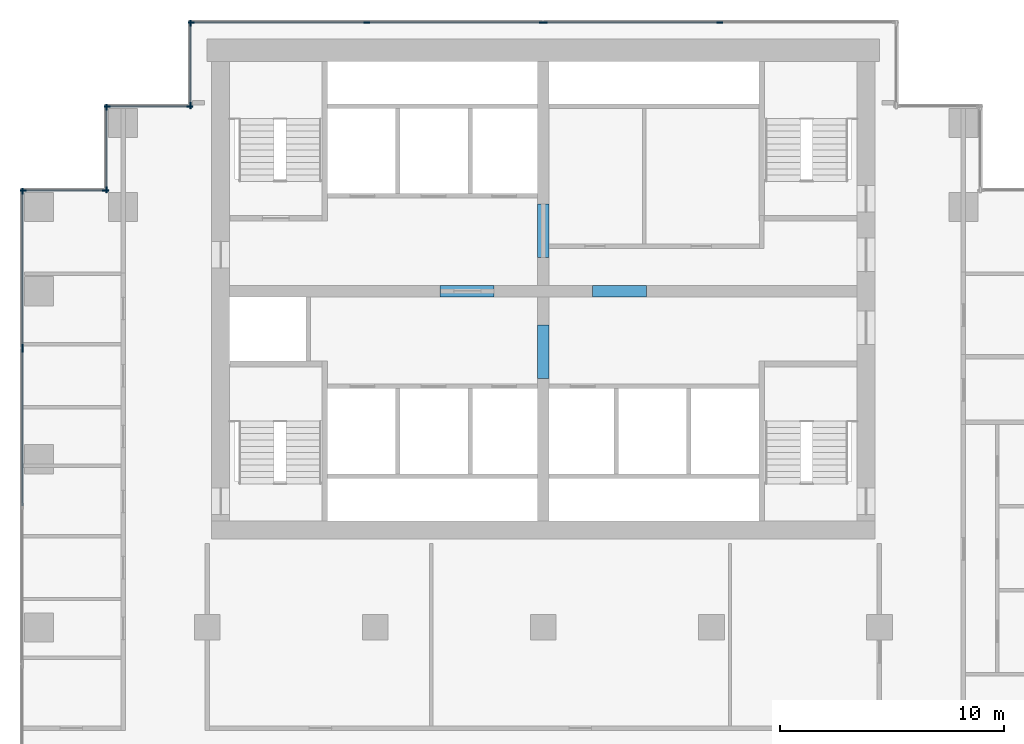
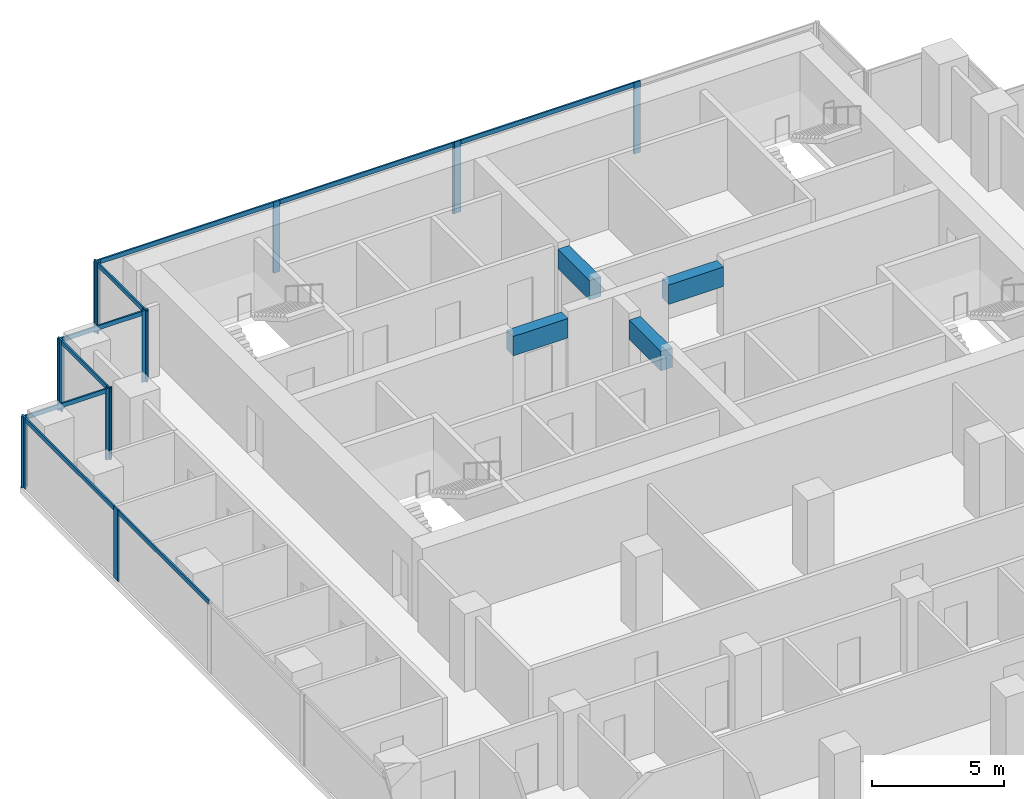
# One storey, part 4 of 10: 25 members, 4 beams, 8 elements without a shape of their own.
"""IFC4 building model written with IfcOpenShell, lengths in metres."""

import ifcopenshell
import ifcopenshell.guid

model = None  # the IFC model being written
_history = None  # IfcOwnerHistory: only IFC2X3 demands one
_inside = {}  # id of a spatial element -> (the spatial element, [elements in it])
_under = {}  # id of a project, library or spatial element -> (it, [spatial elements below it])
_declared = {}  # id of a project -> (the project, [libraries it declares])
_typed = {}  # id of a type object -> (the type object, [elements of that type])
_made_of = {}  # id of a material, layer set ... -> (it, [elements and type objects made of it])


def new_model(schema):
    """Start an empty IFC model of exactly this schema.

    Asked for "IFC4X3", IfcOpenShell would pick the latest addendum, in which some entities
    have other attributes; the version numbers below select the first issue.
    IFC2X3 requires an IfcOwnerHistory on every rooted entity: one is made here for all.
    """
    global model, _history
    if schema == "IFC4X3":
        model = ifcopenshell.file(schema_version=(4, 3, 0, 0))
    else:
        model = ifcopenshell.file(schema=schema)
    _inside.clear()
    _under.clear()
    _declared.clear()
    _typed.clear()
    _made_of.clear()
    _history = None
    if model.schema == "IFC2X3":
        org = make("IfcOrganization", Name="unknown")
        user = make(
            "IfcPersonAndOrganization",
            ThePerson=make("IfcPerson", FamilyName="unknown"),
            TheOrganization=org,
        )
        app = make(
            "IfcApplication",
            ApplicationDeveloper=org,
            Version="unknown",
            ApplicationFullName="unknown",
            ApplicationIdentifier="unknown",
        )
        _history = make(
            "IfcOwnerHistory",
            OwningUser=user,
            OwningApplication=app,
            ChangeAction="ADDED",
            CreationDate=0,
        )
    return model


def make(cls, **values):
    """One entity of the class cls with the attributes given. An attribute that is None is left unset."""
    return model.create_entity(
        cls, **{name: value for name, value in values.items() if value is not None}
    )


def rooted(cls, **values):
    """An entity with a GlobalId (a new one), such as an element, a storey or a relation."""
    return make(cls, GlobalId=ifcopenshell.guid.new(), OwnerHistory=_history, **values)


def si_unit(unit_type, name, prefix=None):
    """IfcSIUnit, for example si_unit("LENGTHUNIT", "METRE", prefix="MILLI")."""
    return make("IfcSIUnit", UnitType=unit_type, Prefix=prefix, Name=name)


def assignment(units):
    """IfcUnitAssignment: the units of a project."""
    return None if units is None else make("IfcUnitAssignment", Units=units)


def point(xyz):
    """IfcCartesianPoint."""
    return None if xyz is None else make("IfcCartesianPoint", Coordinates=xyz)


def direction(xyz):
    """IfcDirection."""
    return None if xyz is None else make("IfcDirection", DirectionRatios=xyz)


def frame(location, z_axis=None, x_axis=None):
    """IfcAxis2Placement3D, a coordinate frame: its origin and axes. An axis left out is left unset."""
    return make(
        "IfcAxis2Placement3D",
        Location=point(location),
        Axis=direction(z_axis),
        RefDirection=direction(x_axis),
    )


def frame_2d(location, x_axis=None):
    """IfcAxis2Placement2D, a coordinate frame in the plane: its origin and x axis."""
    return make(
        "IfcAxis2Placement2D", Location=point(location), RefDirection=direction(x_axis)
    )


def origin():
    """The frame at (0, 0, 0) with its axes left unset."""
    return frame((0.0, 0.0, 0.0))


def origin_2d():
    """The frame at (0, 0) in the plane with its x axis left unset."""
    return frame_2d((0.0, 0.0))


def place(relative_to, where):
    """IfcLocalPlacement: puts the frame where relative to a parent placement (None: the world)."""
    return make(
        "IfcLocalPlacement", PlacementRelTo=relative_to, RelativePlacement=where
    )


def context(
    kind, dimensions, precision=None, world=None, true_north=None, identifier=None
):
    """IfcGeometricRepresentationContext, for example the 3D "Model" context."""
    return make(
        "IfcGeometricRepresentationContext",
        ContextIdentifier=identifier,
        ContextType=kind,
        CoordinateSpaceDimension=dimensions,
        Precision=precision,
        WorldCoordinateSystem=world,
        TrueNorth=true_north,
    )


def subcontext(parent, identifier, kind, view, scale=None):
    """IfcGeometricRepresentationSubContext, for example "Body" below "Model"."""
    return make(
        "IfcGeometricRepresentationSubContext",
        ContextIdentifier=identifier,
        ContextType=kind,
        ParentContext=parent,
        TargetScale=scale,
        TargetView=view,
    )


def project(units=None, contexts=None):
    """IfcProject with its units and contexts."""
    return rooted(
        "IfcProject",
        Name="project",
        RepresentationContexts=contexts,
        UnitsInContext=assignment(units),
    )


def spatial(cls, under=None, at=None, **own):
    """A site, building, storey or space (cls), placed at a placement, below another one or the project."""
    s = rooted(cls, ObjectPlacement=at, **own)
    if under is not None:
        _under.setdefault(under.id(), (under, []))[1].append(s)
    return s


def profile(cls, at=None, kind="AREA", **sizes):
    """A parametric profile (cls). Its sizes go by their IFC names, for example OverallWidth=200.0."""
    return make(cls, ProfileType=kind, Position=at, **sizes)


def rectangle(**sizes):
    """IfcRectangleProfileDef."""
    return profile("IfcRectangleProfileDef", **sizes)


def extrude(swept, where, along, depth):
    """IfcExtrudedAreaSolid: the profile swept, set in the frame where, extruded along a direction by depth."""
    return make(
        "IfcExtrudedAreaSolid",
        SweptArea=swept,
        Position=where,
        ExtrudedDirection=direction(along),
        Depth=depth,
    )


def shape(context_of_items, identifier, shape_type, items):
    """IfcShapeRepresentation: the items that make up one representation, for example the "Body"."""
    return make(
        "IfcShapeRepresentation",
        ContextOfItems=context_of_items,
        RepresentationIdentifier=identifier,
        RepresentationType=shape_type,
        Items=items,
    )


def material(Name=None, Category=None):
    """IfcMaterial."""
    return make("IfcMaterial", Name=Name, Category=Category)


def material_profile(
    of_material, cross_section, Name=None, Category=None, Priority=None
):
    """IfcMaterialProfile: a cross section and its material."""
    return make(
        "IfcMaterialProfile",
        Name=Name,
        Material=of_material,
        Profile=cross_section,
        Priority=Priority,
        Category=Category,
    )


def profile_set(profiles, Name=None, composite=None):
    """IfcMaterialProfileSet."""
    return make(
        "IfcMaterialProfileSet",
        Name=Name,
        MaterialProfiles=profiles,
        CompositeProfile=composite,
    )


def made_of(thing, what):
    """Note that an element or type object is made of a material, layer set ...; save() writes the relation."""
    if what is not None:
        _made_of.setdefault(what.id(), (what, []))[1].append(thing)
    return thing


def type_object(cls, material=None, **own):
    """A type object (cls), such as IfcWallType, which elements share."""
    return made_of(rooted(cls, **own), material)


def element(
    cls,
    number,
    at=None,
    inside=None,
    cuts=None,
    type_object=None,
    material=None,
    context=None,
    identifier="Body",
    shape_type=None,
    held_by="IfcProductDefinitionShape",
    body=None,
    shapes=None,
    **own,
):
    """One element of the class cls, such as IfcWall. Its Tag is "e" and its number.

    at: its placement. inside: the storey or other place that contains it. cuts: it is an
    opening in that element (IfcRelVoidsElement). A single representation is given by context,
    identifier, shape_type and body (its items); several are given by shapes. held_by: the class
    of the entity that holds the representations. save() writes the other relations.
    """
    e = rooted(cls, Tag="e%d" % number, ObjectPlacement=at, **own)
    if body is not None:
        shapes = [shape(context, identifier, shape_type, body)]
    if shapes is not None:
        e.Representation = make(held_by, Representations=shapes)
    if inside is not None:
        _inside.setdefault(inside.id(), (inside, []))[1].append(e)
    if cuts is not None:
        rooted(
            "IfcRelVoidsElement", RelatingBuildingElement=cuts, RelatedOpeningElement=e
        )
    if type_object is not None:
        _typed.setdefault(type_object.id(), (type_object, []))[1].append(e)
    return made_of(e, material)


def aggregate(whole, parts):
    """IfcRelAggregates: a whole, such as a stair, and the parts it consists of."""
    return rooted("IfcRelAggregates", RelatingObject=whole, RelatedObjects=parts)


def save(model, path):
    """Write the relations noted so far, then the file.

    IfcRelAggregates (storeys below a building ...), IfcRelContainedInSpatialStructure (elements
    in a storey), IfcRelDefinesByType, IfcRelAssociatesMaterial and IfcRelDeclares: one each for
    every whole, place, type object, material and project.
    """
    for whole, parts in _under.values():
        aggregate(whole, parts)
    for where, things in _inside.values():
        rooted(
            "IfcRelContainedInSpatialStructure",
            RelatedElements=things,
            RelatingStructure=where,
        )
    for kind, things in _typed.values():
        rooted("IfcRelDefinesByType", RelatedObjects=things, RelatingType=kind)
    for what, things in _made_of.values():
        rooted("IfcRelAssociatesMaterial", RelatedObjects=things, RelatingMaterial=what)
    for by, libraries in _declared.values():
        rooted("IfcRelDeclares", RelatingContext=by, RelatedDefinitions=libraries)
    model.write(path)


model = new_model("IFC4")

# Units and contexts
model_context = context("Model", 3, precision=1e-05, world=origin(), true_north=direction((0.0, 1.0)))
body_context = subcontext(model_context, "Body", "Model", "MODEL_VIEW")
ifc_project = project(units=[si_unit("LENGTHUNIT", "METRE"), si_unit("AREAUNIT", "SQUARE_METRE"), si_unit("VOLUMEUNIT", "CUBIC_METRE"), si_unit("PLANEANGLEUNIT", "RADIAN"), si_unit("MASSUNIT", "GRAM", prefix="KILO")], contexts=[model_context])

# Site, building, storey
site_placement = place(None, origin())
site = spatial("IfcSite", under=ifc_project, at=site_placement, CompositionType="ELEMENT")
building_placement = place(site_placement, origin())
building = spatial("IfcBuilding", under=site, at=building_placement, Name="Pilkhan Gate Tower", CompositionType="ELEMENT")
storey_placement = place(building_placement, frame((0.0, 0.0, 128.800048828125)))
storey = spatial("IfcBuildingStorey", under=building, at=storey_placement, Name="L32", CompositionType="ELEMENT", Elevation=128.800048828125)

# Beams
ifc_material_1 = material(Name="Concrete C60/75", Category="concrete")
ifc_material_profile_1 = material_profile(ifc_material_1, rectangle(XDim=0.5, YDim=0.89990234375, at=origin_2d()), Name="RC 500x900")
ifc_profile_set_1 = profile_set([ifc_material_profile_1], Name="Concrete C60/75")
beam_type = type_object("IfcBeamType", Name="Coupling beam CB90 RC 500x900 C60/75", PredefinedType="LINTEL", material=ifc_profile_set_1)
for number, where, z_axis, x_axis, name in (
    (1, (70.39990234375, 82.5, 2.849853515625), (1.0, 0.0, 0.0), (0.0, 1.0, 0.0), "Coupling beam 1 L32"),
    (2, (77.199951171875, 82.5, 2.849853515625), (1.0, 0.0, 0.0), (0.0, 1.0, 0.0), "Coupling beam 2 L32"),
):
    element("IfcBeam", number, at=place(storey_placement, frame(where, z_axis=z_axis, x_axis=x_axis)), inside=storey, type_object=beam_type, Name=name, PredefinedType="LINTEL", context=body_context, shape_type="SweptSolid", body=[
        extrude(rectangle(XDim=0.5, YDim=0.89990234375, at=origin_2d()), origin(), (0.0, 0.0, 1.0), 2.400146484375),
    ])
for number, where, z_axis, x_axis, name in (
    (3, (75.0, 78.60009765625, 2.849853515625), (0.0, 1.0, 0.0), (-1.0, 0.0, 0.0), "Coupling beam 3 L32"),
    (4, (75.0, 84.0, 2.849853515625), (0.0, 1.0, 0.0), (-1.0, 0.0, 0.0), "Coupling beam 4 L32"),
):
    element("IfcBeam", number, at=place(storey_placement, frame(where, z_axis=z_axis, x_axis=x_axis)), inside=storey, type_object=beam_type, Name=name, PredefinedType="LINTEL", context=body_context, shape_type="SweptSolid", body=[
        extrude(rectangle(XDim=0.5, YDim=0.89990234375, at=origin_2d()), origin(), (0.0, 0.0, 1.0), 2.39990234375),
    ])

# Curtain wall, members
ifc_material_2 = material(Name="Pale anodised aluminium, clear low-iron double glazing", Category="aluminium")
curtain_wall_type = type_object("IfcCurtainWallType", Name="Office unitised curtain wall CW-O1", PredefinedType="USERDEFINED", material=ifc_material_2)
curtain_wall_1_placement = place(storey_placement, origin())
curtain_wall_1 = element("IfcCurtainWall", 5, at=curtain_wall_1_placement, inside=storey, type_object=curtain_wall_type, Name="Office unitised curtain wall CW-O1 L32 N", ObjectType="UNITISED CURTAIN WALL", PredefinedType="USERDEFINED")
ifc_material_3 = material(Name="Pale anodised aluminium", Category="aluminium")
ifc_material_profile_2 = material_profile(ifc_material_3, rectangle(XDim=0.070068359375, YDim=0.27490234375, at=origin_2d()), Name="Mullion 275x70")
ifc_profile_set_2 = profile_set([ifc_material_profile_2], Name="Pale anodised aluminium")
member_type_1 = type_object("IfcMemberType", Name="Mullion CW-O1 275x70", PredefinedType="MULLION", material=ifc_profile_set_2)
member_1_placement = place(storey_placement, frame((59.284912109375, 94.5, 0.0), z_axis=(0.0, 0.0, 1.0), x_axis=(0.0, 1.0, 0.0)))
member_1 = element("IfcMember", 6, at=member_1_placement, type_object=member_type_1, Name="CW-O1 mullion 1", PredefinedType="MULLION", context=body_context, shape_type="SweptSolid", body=[
    extrude(rectangle(XDim=0.070068359375, YDim=0.27490234375, at=origin_2d()), origin(), (0.0, 0.0, 1.0), 3.300048828125),
])
member_2_placement = place(storey_placement, frame((67.125, 94.5, 0.0), z_axis=(0.0, 0.0, 1.0), x_axis=(0.0, 1.0, 0.0)))
member_2 = element("IfcMember", 7, at=member_2_placement, type_object=member_type_1, Name="CW-O1 mullion 2", PredefinedType="MULLION", context=body_context, shape_type="SweptSolid", body=[
    extrude(rectangle(XDim=0.070068359375, YDim=0.27490234375, at=origin_2d()), origin(), (0.0, 0.0, 1.0), 3.300048828125),
])
member_3_placement = place(storey_placement, frame((74.965087890625, 94.5, 0.0), z_axis=(0.0, 0.0, 1.0), x_axis=(0.0, 1.0, 0.0)))
member_3 = element("IfcMember", 8, at=member_3_placement, type_object=member_type_1, Name="CW-O1 mullion 3", PredefinedType="MULLION", context=body_context, shape_type="SweptSolid", body=[
    extrude(rectangle(XDim=0.070068359375, YDim=0.27490234375, at=origin_2d()), origin(), (0.0, 0.0, 1.0), 3.300048828125),
])

curtain_wall_2_placement = place(storey_placement, origin())
curtain_wall_2 = element("IfcCurtainWall", 9, at=curtain_wall_2_placement, inside=storey, type_object=curtain_wall_type, Name="Office unitised curtain wall CW-O1 L32 N", ObjectType="UNITISED CURTAIN WALL", PredefinedType="USERDEFINED")
member_4_placement = place(storey_placement, frame((75.034912109375, 94.5, 0.0), z_axis=(0.0, 0.0, 1.0), x_axis=(0.0, 1.0, 0.0)))
member_4 = element("IfcMember", 10, at=member_4_placement, type_object=member_type_1, Name="CW-O1 mullion 1", PredefinedType="MULLION", context=body_context, shape_type="SweptSolid", body=[
    extrude(rectangle(XDim=0.070068359375, YDim=0.27490234375, at=origin_2d()), origin(), (0.0, 0.0, 1.0), 3.300048828125),
])
member_5_placement = place(storey_placement, frame((82.875, 94.5, 0.0), z_axis=(0.0, 0.0, 1.0), x_axis=(0.0, 1.0, 0.0)))
member_5 = element("IfcMember", 11, at=member_5_placement, type_object=member_type_1, Name="CW-O1 mullion 2", PredefinedType="MULLION", context=body_context, shape_type="SweptSolid", body=[
    extrude(rectangle(XDim=0.070068359375, YDim=0.27490234375, at=origin_2d()), origin(), (0.0, 0.0, 1.0), 3.300048828125),
])

curtain_wall_3_placement = place(storey_placement, origin())
curtain_wall_3 = element("IfcCurtainWall", 12, at=curtain_wall_3_placement, inside=storey, type_object=curtain_wall_type, Name="Office unitised curtain wall CW-O1 L32 W", ObjectType="UNITISED CURTAIN WALL", PredefinedType="USERDEFINED")
member_6_placement = place(storey_placement, frame((59.25, 90.784912109375, 0.0), z_axis=(0.0, 0.0, 1.0), x_axis=(-1.0, 0.0, 0.0)))
member_6 = element("IfcMember", 13, at=member_6_placement, type_object=member_type_1, Name="CW-O1 mullion 1", PredefinedType="MULLION", context=body_context, shape_type="SweptSolid", body=[
    extrude(rectangle(XDim=0.070068359375, YDim=0.27490234375, at=origin_2d()), origin(), (0.0, 0.0, 1.0), 3.300048828125),
])
member_7_placement = place(storey_placement, frame((59.25, 94.465087890625, 0.0), z_axis=(0.0, 0.0, 1.0), x_axis=(-1.0, 0.0, 0.0)))
member_7 = element("IfcMember", 14, at=member_7_placement, type_object=member_type_1, Name="CW-O1 mullion 2", PredefinedType="MULLION", context=body_context, shape_type="SweptSolid", body=[
    extrude(rectangle(XDim=0.070068359375, YDim=0.27490234375, at=origin_2d()), origin(), (0.0, 0.0, 1.0), 3.300048828125),
])

curtain_wall_4_placement = place(storey_placement, origin())
curtain_wall_4 = element("IfcCurtainWall", 15, at=curtain_wall_4_placement, inside=storey, type_object=curtain_wall_type, Name="Office unitised curtain wall CW-O1 L32 N", ObjectType="UNITISED CURTAIN WALL", PredefinedType="USERDEFINED")
member_8_placement = place(storey_placement, frame((55.534912109375, 90.75, 0.0), z_axis=(0.0, 0.0, 1.0), x_axis=(0.0, 1.0, 0.0)))
member_8 = element("IfcMember", 16, at=member_8_placement, type_object=member_type_1, Name="CW-O1 mullion 1", PredefinedType="MULLION", context=body_context, shape_type="SweptSolid", body=[
    extrude(rectangle(XDim=0.070068359375, YDim=0.27490234375, at=origin_2d()), origin(), (0.0, 0.0, 1.0), 3.300048828125),
])
member_9_placement = place(storey_placement, frame((59.215087890625, 90.75, 0.0), z_axis=(0.0, 0.0, 1.0), x_axis=(0.0, 1.0, 0.0)))
member_9 = element("IfcMember", 17, at=member_9_placement, type_object=member_type_1, Name="CW-O1 mullion 2", PredefinedType="MULLION", context=body_context, shape_type="SweptSolid", body=[
    extrude(rectangle(XDim=0.070068359375, YDim=0.27490234375, at=origin_2d()), origin(), (0.0, 0.0, 1.0), 3.300048828125),
])

curtain_wall_5_placement = place(storey_placement, origin())
curtain_wall_5 = element("IfcCurtainWall", 18, at=curtain_wall_5_placement, inside=storey, type_object=curtain_wall_type, Name="Office unitised curtain wall CW-O1 L32 W", ObjectType="UNITISED CURTAIN WALL", PredefinedType="USERDEFINED")
member_10_placement = place(storey_placement, frame((55.5, 87.034912109375, 0.0), z_axis=(0.0, 0.0, 1.0), x_axis=(-1.0, 0.0, 0.0)))
member_10 = element("IfcMember", 19, at=member_10_placement, type_object=member_type_1, Name="CW-O1 mullion 1", PredefinedType="MULLION", context=body_context, shape_type="SweptSolid", body=[
    extrude(rectangle(XDim=0.070068359375, YDim=0.27490234375, at=origin_2d()), origin(), (0.0, 0.0, 1.0), 3.300048828125),
])
member_11_placement = place(storey_placement, frame((55.5, 90.715087890625, 0.0), z_axis=(0.0, 0.0, 1.0), x_axis=(-1.0, 0.0, 0.0)))
member_11 = element("IfcMember", 20, at=member_11_placement, type_object=member_type_1, Name="CW-O1 mullion 2", PredefinedType="MULLION", context=body_context, shape_type="SweptSolid", body=[
    extrude(rectangle(XDim=0.070068359375, YDim=0.27490234375, at=origin_2d()), origin(), (0.0, 0.0, 1.0), 3.300048828125),
])

curtain_wall_6_placement = place(storey_placement, origin())
curtain_wall_6 = element("IfcCurtainWall", 21, at=curtain_wall_6_placement, inside=storey, type_object=curtain_wall_type, Name="Office unitised curtain wall CW-O1 L32 N", ObjectType="UNITISED CURTAIN WALL", PredefinedType="USERDEFINED")
member_12_placement = place(storey_placement, frame((51.784912109375, 87.0, 0.0), z_axis=(0.0, 0.0, 1.0), x_axis=(0.0, 1.0, 0.0)))
member_12 = element("IfcMember", 22, at=member_12_placement, type_object=member_type_1, Name="CW-O1 mullion 1", PredefinedType="MULLION", context=body_context, shape_type="SweptSolid", body=[
    extrude(rectangle(XDim=0.070068359375, YDim=0.27490234375, at=origin_2d()), origin(), (0.0, 0.0, 1.0), 3.300048828125),
])
member_13_placement = place(storey_placement, frame((55.465087890625, 87.0, 0.0), z_axis=(0.0, 0.0, 1.0), x_axis=(0.0, 1.0, 0.0)))
member_13 = element("IfcMember", 23, at=member_13_placement, type_object=member_type_1, Name="CW-O1 mullion 2", PredefinedType="MULLION", context=body_context, shape_type="SweptSolid", body=[
    extrude(rectangle(XDim=0.070068359375, YDim=0.27490234375, at=origin_2d()), origin(), (0.0, 0.0, 1.0), 3.300048828125),
])

# Curtain wall, member
curtain_wall_7_placement = place(storey_placement, origin())
curtain_wall_7 = element("IfcCurtainWall", 24, at=curtain_wall_7_placement, inside=storey, type_object=curtain_wall_type, Name="Office unitised curtain wall CW-O1 L32 W", ObjectType="UNITISED CURTAIN WALL", PredefinedType="USERDEFINED")
member_14_placement = place(storey_placement, frame((51.75, 79.9150390625, 0.0), z_axis=(0.0, 0.0, 1.0), x_axis=(-1.0, 0.0, 0.0)))
member_14 = element("IfcMember", 25, at=member_14_placement, type_object=member_type_1, Name="CW-O1 mullion 3", PredefinedType="MULLION", context=body_context, shape_type="SweptSolid", body=[
    extrude(rectangle(XDim=0.070068359375, YDim=0.27490234375, at=origin_2d()), origin(), (0.0, 0.0, 1.0), 3.300048828125),
])

# Curtain wall, members
curtain_wall_8_placement = place(storey_placement, origin())
curtain_wall_8 = element("IfcCurtainWall", 26, at=curtain_wall_8_placement, inside=storey, type_object=curtain_wall_type, Name="Office unitised curtain wall CW-O1 L32 W", ObjectType="UNITISED CURTAIN WALL", PredefinedType="USERDEFINED")
member_15_placement = place(storey_placement, frame((51.75, 79.985107421875, 0.0), z_axis=(0.0, 0.0, 1.0), x_axis=(-1.0, 0.0, 0.0)))
member_15 = element("IfcMember", 27, at=member_15_placement, type_object=member_type_1, Name="CW-O1 mullion 1", PredefinedType="MULLION", context=body_context, shape_type="SweptSolid", body=[
    extrude(rectangle(XDim=0.070068359375, YDim=0.27490234375, at=origin_2d()), origin(), (0.0, 0.0, 1.0), 3.300048828125),
])
member_16_placement = place(storey_placement, frame((51.75, 86.965087890625, 0.0), z_axis=(0.0, 0.0, 1.0), x_axis=(-1.0, 0.0, 0.0)))
member_16 = element("IfcMember", 28, at=member_16_placement, type_object=member_type_1, Name="CW-O1 mullion 2", PredefinedType="MULLION", context=body_context, shape_type="SweptSolid", body=[
    extrude(rectangle(XDim=0.070068359375, YDim=0.27490234375, at=origin_2d()), origin(), (0.0, 0.0, 1.0), 3.300048828125),
])

# Member
ifc_material_profile_3 = material_profile(ifc_material_3, rectangle(XDim=0.070068359375, YDim=0.199951171875, at=origin_2d()), Name="Transom 200x70")
ifc_profile_set_3 = profile_set([ifc_material_profile_3], Name="Pale anodised aluminium")
member_type_2 = type_object("IfcMemberType", Name="Transom CW-O1 200x70", PredefinedType="USERDEFINED", material=ifc_profile_set_3)
member_17_placement = place(storey_placement, frame((59.320068359375, 94.5, 3.199951171875), z_axis=(1.0, 0.0, 0.0), x_axis=(0.0, 1.0, 0.0)))
member_17 = element("IfcMember", 29, at=member_17_placement, type_object=member_type_2, Name="CW-O1 transom 1", ObjectType="TRANSOM", PredefinedType="USERDEFINED", context=body_context, shape_type="SweptSolid", body=[
    extrude(rectangle(XDim=0.070068359375, YDim=0.199951171875, at=origin_2d()), origin(), (0.0, 0.0, 1.0), 7.77001953125),
])

member_18_placement = place(storey_placement, frame((67.159912109375, 94.5, 3.199951171875), z_axis=(1.0, 0.0, 0.0), x_axis=(0.0, 1.0, 0.0)))
member_18 = element("IfcMember", 30, at=member_18_placement, type_object=member_type_2, Name="CW-O1 transom 2", ObjectType="TRANSOM", PredefinedType="USERDEFINED", context=body_context, shape_type="SweptSolid", body=[
    extrude(rectangle(XDim=0.070068359375, YDim=0.199951171875, at=origin_2d()), origin(), (0.0, 0.0, 1.0), 7.77001953125),
])

aggregate(curtain_wall_1, [member_1, member_2, member_3, member_17, member_18])

member_19_placement = place(storey_placement, frame((75.070068359375, 94.5, 3.199951171875), z_axis=(1.0, 0.0, 0.0), x_axis=(0.0, 1.0, 0.0)))
member_19 = element("IfcMember", 31, at=member_19_placement, type_object=member_type_2, Name="CW-O1 transom 1", ObjectType="TRANSOM", PredefinedType="USERDEFINED", context=body_context, shape_type="SweptSolid", body=[
    extrude(rectangle(XDim=0.070068359375, YDim=0.199951171875, at=origin_2d()), origin(), (0.0, 0.0, 1.0), 7.77001953125),
])

aggregate(curtain_wall_2, [member_4, member_5, member_19])

member_20_placement = place(storey_placement, frame((59.25, 90.820068359375, 3.199951171875), z_axis=(0.0, 1.0, 0.0), x_axis=(-1.0, 0.0, 0.0)))
member_20 = element("IfcMember", 32, at=member_20_placement, type_object=member_type_2, Name="CW-O1 transom 1", ObjectType="TRANSOM", PredefinedType="USERDEFINED", context=body_context, shape_type="SweptSolid", body=[
    extrude(rectangle(XDim=0.070068359375, YDim=0.199951171875, at=origin_2d()), origin(), (0.0, 0.0, 1.0), 3.60986328125),
])

aggregate(curtain_wall_3, [member_6, member_7, member_20])

member_21_placement = place(storey_placement, frame((55.570068359375, 90.75, 3.199951171875), z_axis=(1.0, 0.0, 0.0), x_axis=(0.0, 1.0, 0.0)))
member_21 = element("IfcMember", 33, at=member_21_placement, type_object=member_type_2, Name="CW-O1 transom 1", ObjectType="TRANSOM", PredefinedType="USERDEFINED", context=body_context, shape_type="SweptSolid", body=[
    extrude(rectangle(XDim=0.070068359375, YDim=0.199951171875, at=origin_2d()), origin(), (0.0, 0.0, 1.0), 3.60986328125),
])

aggregate(curtain_wall_4, [member_8, member_9, member_21])

member_22_placement = place(storey_placement, frame((55.5, 87.070068359375, 3.199951171875), z_axis=(0.0, 1.0, 0.0), x_axis=(-1.0, 0.0, 0.0)))
member_22 = element("IfcMember", 34, at=member_22_placement, type_object=member_type_2, Name="CW-O1 transom 1", ObjectType="TRANSOM", PredefinedType="USERDEFINED", context=body_context, shape_type="SweptSolid", body=[
    extrude(rectangle(XDim=0.070068359375, YDim=0.199951171875, at=origin_2d()), origin(), (0.0, 0.0, 1.0), 3.60986328125),
])

aggregate(curtain_wall_5, [member_10, member_11, member_22])

member_23_placement = place(storey_placement, frame((51.820068359375, 87.0, 3.199951171875), z_axis=(1.0, 0.0, 0.0), x_axis=(0.0, 1.0, 0.0)))
member_23 = element("IfcMember", 35, at=member_23_placement, type_object=member_type_2, Name="CW-O1 transom 1", ObjectType="TRANSOM", PredefinedType="USERDEFINED", context=body_context, shape_type="SweptSolid", body=[
    extrude(rectangle(XDim=0.070068359375, YDim=0.199951171875, at=origin_2d()), origin(), (0.0, 0.0, 1.0), 3.60986328125),
])

aggregate(curtain_wall_6, [member_12, member_13, member_23])

member_24_placement = place(storey_placement, frame((51.75, 72.93505859375, 3.199951171875), z_axis=(0.0, 1.0, 0.0), x_axis=(-1.0, 0.0, 0.0)))
member_24 = element("IfcMember", 36, at=member_24_placement, type_object=member_type_2, Name="CW-O1 transom 2", ObjectType="TRANSOM", PredefinedType="USERDEFINED", context=body_context, shape_type="SweptSolid", body=[
    extrude(rectangle(XDim=0.070068359375, YDim=0.199951171875, at=origin_2d()), origin(), (0.0, 0.0, 1.0), 6.94482421875),
])

aggregate(curtain_wall_7, [member_14, member_24])

member_25_placement = place(storey_placement, frame((51.75, 80.02001953125, 3.199951171875), z_axis=(0.0, 1.0, 0.0), x_axis=(-1.0, 0.0, 0.0)))
member_25 = element("IfcMember", 37, at=member_25_placement, type_object=member_type_2, Name="CW-O1 transom 1", ObjectType="TRANSOM", PredefinedType="USERDEFINED", context=body_context, shape_type="SweptSolid", body=[
    extrude(rectangle(XDim=0.070068359375, YDim=0.199951171875, at=origin_2d()), origin(), (0.0, 0.0, 1.0), 6.909912109375),
])

aggregate(curtain_wall_8, [member_15, member_16, member_25])

save(model, "model.ifc")
